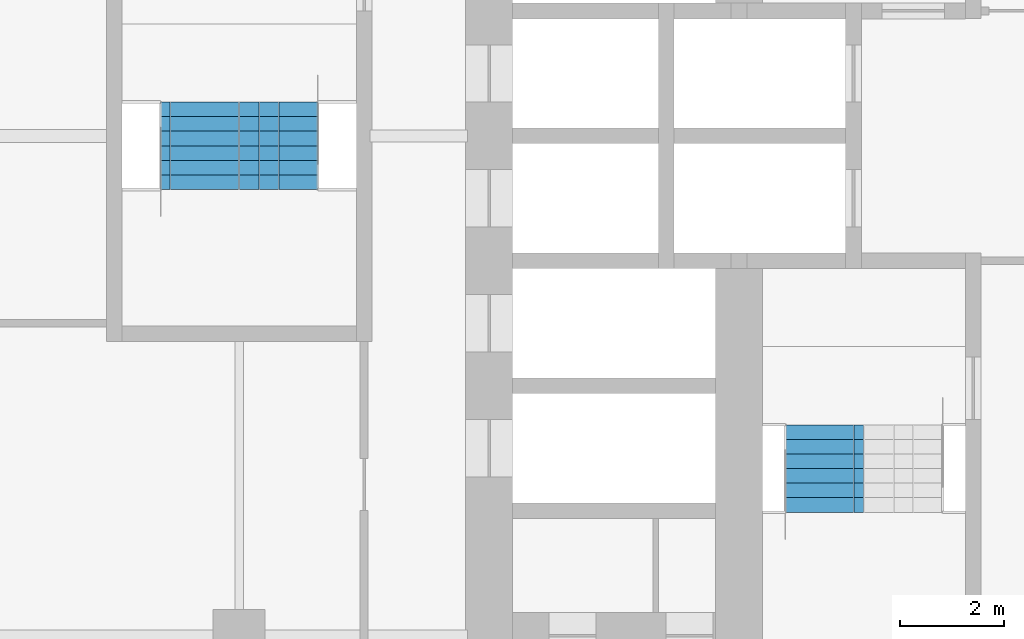
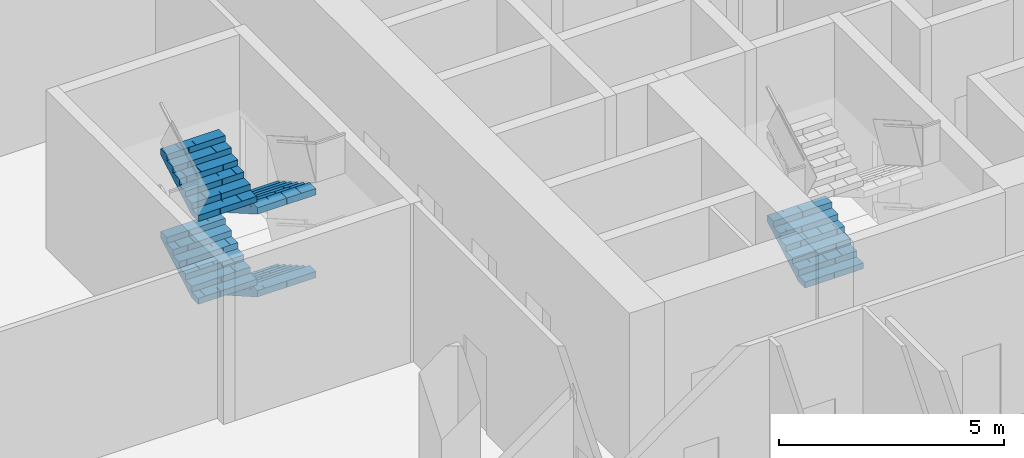
# One storey, part 17 of 22: 5 stair flights, 2 elements without a shape of their own.
"""IFC4 building model written with IfcOpenShell, lengths in metres."""

from ifc_helpers import new_model, si_unit, direction, frame, origin, place, context, subcontext, project, spatial, polyline, outline, extrude, material, type_object, element, aggregate, save


model = new_model("IFC4")

# Units and contexts
model_context = context("Model", 3, precision=1e-05, world=origin(), true_north=direction((0.0, 1.0)))
body_context = subcontext(model_context, "Body", "Model", "MODEL_VIEW")
ifc_project = project(units=[si_unit("LENGTHUNIT", "METRE"), si_unit("AREAUNIT", "SQUARE_METRE"), si_unit("VOLUMEUNIT", "CUBIC_METRE"), si_unit("PLANEANGLEUNIT", "RADIAN"), si_unit("MASSUNIT", "GRAM", prefix="KILO")], contexts=[model_context])

# Site, building, storey
site_placement = place(None, origin())
site = spatial("IfcSite", under=ifc_project, at=site_placement, CompositionType="ELEMENT")
building_placement = place(site_placement, origin())
building = spatial("IfcBuilding", under=site, at=building_placement, Name="Kolab Exchange Tower", CompositionType="ELEMENT")
storey_placement = place(building_placement, frame((0.0, 0.0, 113.89990234375)))
storey = spatial("IfcBuildingStorey", under=building, at=storey_placement, Name="L22", CompositionType="ELEMENT", Elevation=113.89990234375)

# Stair, stair flight
ifc_material = material(Name="Concrete C50/60", Category="concrete")
stair_type_1 = type_object("IfcStairType", Name="STAIR ST3 RISER 160.7", PredefinedType="DOUBLE_RETURN_STAIR", material=ifc_material)
stair_1_placement = place(storey_placement, origin())
stair_1 = element("IfcStair", 1, at=stair_1_placement, inside=storey, type_object=stair_type_1, Name="Stair 3", PredefinedType="DOUBLE_RETURN_STAIR")
stair_flight_type = type_object("IfcStairFlightType", Name="STAIR FLIGHT 1500 RISER 160.7", PredefinedType="STRAIGHT", material=ifc_material)
stair_flight_1_placement = place(storey_placement, frame((-7.9599609375, -7.22998046875, 1.125), z_axis=(0.0, 0.0, 1.0), x_axis=(0.0, 1.0, 0.0)))
stair_flight_1 = element("IfcStairFlight", 2, at=stair_flight_1_placement, type_object=stair_flight_type, Name="ST3 flight 2", NumberOfRisers=7, NumberOfTreads=6, PredefinedType="STRAIGHT", RiserHeight=0.160714286, TreadLength=0.28, context=body_context, shape_type="SweptSolid", body=[
    extrude(outline(polyline([(0.0, 0.0), (0.0, 0.16064453125), (0.280029296875, 0.16064453125), (0.280029296875, 0.321533203125), (0.56005859375, 0.321533203125), (0.56005859375, 0.482177734375), (0.840087890625, 0.482177734375), (0.840087890625, 0.642822265625), (1.1201171875, 0.642822265625), (1.1201171875, 0.803466796875), (1.39990234375, 0.803466796875), (1.39990234375, 0.96435546875), (1.679931640625, 0.96435546875), (1.679931640625, 1.125), (1.679931640625, 0.79150390625), (0.301025390625, 0.0), (0.0, 0.0)])), frame((0.0, 0.75, 0.0), z_axis=(0.0, -1.0, 0.0), x_axis=(1.0, 0.0, 0.0)), (0.0, 0.0, 1.0), 0.185791015625),
    extrude(outline(polyline([(0.0, 0.0), (0.0, 0.16064453125), (0.280029296875, 0.16064453125), (0.280029296875, 0.321533203125), (0.56005859375, 0.321533203125), (0.56005859375, 0.482177734375), (0.840087890625, 0.482177734375), (0.840087890625, 0.642822265625), (1.1201171875, 0.642822265625), (1.1201171875, 0.803466796875), (1.39990234375, 0.803466796875), (1.39990234375, 0.96435546875), (1.679931640625, 0.96435546875), (1.679931640625, 1.125), (1.679931640625, 0.79150390625), (0.301025390625, 0.0), (0.0, 0.0)])), frame((0.0, 0.562255859375, 0.0), z_axis=(0.0, -1.0, 0.0), x_axis=(1.0, 0.0, 0.0)), (0.0, 0.0, 1.0), 0.185791015625),
    extrude(outline(polyline([(0.0, 0.0), (0.0, 0.16064453125), (0.280029296875, 0.16064453125), (0.280029296875, 0.321533203125), (0.56005859375, 0.321533203125), (0.56005859375, 0.482177734375), (0.840087890625, 0.482177734375), (0.840087890625, 0.642822265625), (1.1201171875, 0.642822265625), (1.1201171875, 0.803466796875), (1.39990234375, 0.803466796875), (1.39990234375, 0.96435546875), (1.679931640625, 0.96435546875), (1.679931640625, 1.125), (1.679931640625, 0.79150390625), (0.301025390625, 0.0), (0.0, 0.0)])), frame((0.0, 0.37451171875, 0.0), z_axis=(0.0, -1.0, 0.0), x_axis=(1.0, 0.0, 0.0)), (0.0, 0.0, 1.0), 0.185791015625),
    extrude(outline(polyline([(0.0, 0.0), (0.0, 0.16064453125), (0.280029296875, 0.16064453125), (0.280029296875, 0.321533203125), (0.56005859375, 0.321533203125), (0.56005859375, 0.482177734375), (0.840087890625, 0.482177734375), (0.840087890625, 0.642822265625), (1.1201171875, 0.642822265625), (1.1201171875, 0.803466796875), (1.39990234375, 0.803466796875), (1.39990234375, 0.96435546875), (1.679931640625, 0.96435546875), (1.679931640625, 1.125), (1.679931640625, 0.79150390625), (0.301025390625, 0.0), (0.0, 0.0)])), frame((0.0, 0.186767578125, 0.0), z_axis=(0.0, -1.0, 0.0), x_axis=(1.0, 0.0, 0.0)), (0.0, 0.0, 1.0), 0.185791015625),
    extrude(outline(polyline([(0.0, 0.0), (0.0, 0.16064453125), (0.280029296875, 0.16064453125), (0.280029296875, 0.321533203125), (0.56005859375, 0.321533203125), (0.56005859375, 0.482177734375), (0.840087890625, 0.482177734375), (0.840087890625, 0.642822265625), (1.1201171875, 0.642822265625), (1.1201171875, 0.803466796875), (1.39990234375, 0.803466796875), (1.39990234375, 0.96435546875), (1.679931640625, 0.96435546875), (1.679931640625, 1.125), (1.679931640625, 0.79150390625), (0.301025390625, 0.0), (0.0, 0.0)])), frame((0.0, -0.0009765625, 0.0), z_axis=(0.0, -1.0, 0.0), x_axis=(1.0, 0.0, 0.0)), (0.0, 0.0, 1.0), 0.185791015625),
    extrude(outline(polyline([(0.0, 0.0), (0.0, 0.16064453125), (0.280029296875, 0.16064453125), (0.280029296875, 0.321533203125), (0.56005859375, 0.321533203125), (0.56005859375, 0.482177734375), (0.840087890625, 0.482177734375), (0.840087890625, 0.642822265625), (1.1201171875, 0.642822265625), (1.1201171875, 0.803466796875), (1.39990234375, 0.803466796875), (1.39990234375, 0.96435546875), (1.679931640625, 0.96435546875), (1.679931640625, 1.125), (1.679931640625, 0.79150390625), (0.301025390625, 0.0), (0.0, 0.0)])), frame((0.0, -0.188720703125, 0.0), z_axis=(0.0, -1.0, 0.0), x_axis=(1.0, 0.0, 0.0)), (0.0, 0.0, 1.0), 0.185791015625),
    extrude(outline(polyline([(0.0, 0.0), (0.0, 0.16064453125), (0.280029296875, 0.16064453125), (0.280029296875, 0.321533203125), (0.56005859375, 0.321533203125), (0.56005859375, 0.482177734375), (0.840087890625, 0.482177734375), (0.840087890625, 0.642822265625), (1.1201171875, 0.642822265625), (1.1201171875, 0.803466796875), (1.39990234375, 0.803466796875), (1.39990234375, 0.96435546875), (1.679931640625, 0.96435546875), (1.679931640625, 1.125), (1.679931640625, 0.79150390625), (0.301025390625, 0.0), (0.0, 0.0)])), frame((0.0, -0.37646484375, 0.0), z_axis=(0.0, -1.0, 0.0), x_axis=(1.0, 0.0, 0.0)), (0.0, 0.0, 1.0), 0.185791015625),
    extrude(outline(polyline([(0.0, 0.0), (0.0, 0.16064453125), (0.280029296875, 0.16064453125), (0.280029296875, 0.321533203125), (0.56005859375, 0.321533203125), (0.56005859375, 0.482177734375), (0.840087890625, 0.482177734375), (0.840087890625, 0.642822265625), (1.1201171875, 0.642822265625), (1.1201171875, 0.803466796875), (1.39990234375, 0.803466796875), (1.39990234375, 0.96435546875), (1.679931640625, 0.96435546875), (1.679931640625, 1.125), (1.679931640625, 0.79150390625), (0.301025390625, 0.0), (0.0, 0.0)])), frame((0.0, -0.564208984375, 0.0), z_axis=(0.0, -1.0, 0.0), x_axis=(1.0, 0.0, 0.0)), (0.0, 0.0, 1.0), 0.185791015625),
])
aggregate(stair_1, [stair_flight_1])

# Stair, stair flights
stair_type_2 = type_object("IfcStairType", Name="STAIR ST5 RISER 160.7", PredefinedType="DOUBLE_RETURN_STAIR", material=ifc_material)
stair_2_placement = place(storey_placement, origin())
stair_2 = element("IfcStair", 3, at=stair_2_placement, inside=storey, type_object=stair_type_2, Name="Stair 5", PredefinedType="DOUBLE_RETURN_STAIR")
stair_flight_2_placement = place(storey_placement, frame((-18.43994140625, 0.64990234375, 0.0), z_axis=(0.0, 0.0, 1.0), x_axis=(0.0, -1.0, 0.0)))
stair_flight_2 = element("IfcStairFlight", 4, at=stair_flight_2_placement, type_object=stair_flight_type, Name="ST5 flight 1", NumberOfRisers=7, NumberOfTreads=6, PredefinedType="STRAIGHT", RiserHeight=0.160714286, TreadLength=0.28, context=body_context, shape_type="SweptSolid", body=[
    extrude(outline(polyline([(0.0, 0.0), (0.0, 0.16064453125), (0.280029296875, 0.16064453125), (0.280029296875, 0.321533203125), (0.56005859375, 0.321533203125), (0.56005859375, 0.482177734375), (0.840087890625, 0.482177734375), (0.840087890625, 0.642822265625), (1.1201171875, 0.642822265625), (1.1201171875, 0.803466796875), (1.39990234375, 0.803466796875), (1.39990234375, 0.96435546875), (1.679931640625, 0.96435546875), (1.679931640625, 1.125), (1.679931640625, 0.79150390625), (0.301025390625, 0.0), (0.0, 0.0)])), frame((0.0, 0.75, 0.0), z_axis=(0.0, -1.0, 0.0), x_axis=(1.0, 0.0, 0.0)), (0.0, 0.0, 1.0), 0.185791015625),
    extrude(outline(polyline([(0.0, 0.0), (0.0, 0.16064453125), (0.280029296875, 0.16064453125), (0.280029296875, 0.321533203125), (0.56005859375, 0.321533203125), (0.56005859375, 0.482177734375), (0.840087890625, 0.482177734375), (0.840087890625, 0.642822265625), (1.1201171875, 0.642822265625), (1.1201171875, 0.803466796875), (1.39990234375, 0.803466796875), (1.39990234375, 0.96435546875), (1.679931640625, 0.96435546875), (1.679931640625, 1.125), (1.679931640625, 0.79150390625), (0.301025390625, 0.0), (0.0, 0.0)])), frame((0.0, 0.562255859375, 0.0), z_axis=(0.0, -1.0, 0.0), x_axis=(1.0, 0.0, 0.0)), (0.0, 0.0, 1.0), 0.185791015625),
    extrude(outline(polyline([(0.0, 0.0), (0.0, 0.16064453125), (0.280029296875, 0.16064453125), (0.280029296875, 0.321533203125), (0.56005859375, 0.321533203125), (0.56005859375, 0.482177734375), (0.840087890625, 0.482177734375), (0.840087890625, 0.642822265625), (1.1201171875, 0.642822265625), (1.1201171875, 0.803466796875), (1.39990234375, 0.803466796875), (1.39990234375, 0.96435546875), (1.679931640625, 0.96435546875), (1.679931640625, 1.125), (1.679931640625, 0.79150390625), (0.301025390625, 0.0), (0.0, 0.0)])), frame((0.0, 0.37451171875, 0.0), z_axis=(0.0, -1.0, 0.0), x_axis=(1.0, 0.0, 0.0)), (0.0, 0.0, 1.0), 0.185791015625),
    extrude(outline(polyline([(0.0, 0.0), (0.0, 0.16064453125), (0.280029296875, 0.16064453125), (0.280029296875, 0.321533203125), (0.56005859375, 0.321533203125), (0.56005859375, 0.482177734375), (0.840087890625, 0.482177734375), (0.840087890625, 0.642822265625), (1.1201171875, 0.642822265625), (1.1201171875, 0.803466796875), (1.39990234375, 0.803466796875), (1.39990234375, 0.96435546875), (1.679931640625, 0.96435546875), (1.679931640625, 1.125), (1.679931640625, 0.79150390625), (0.301025390625, 0.0), (0.0, 0.0)])), frame((0.0, 0.186767578125, 0.0), z_axis=(0.0, -1.0, 0.0), x_axis=(1.0, 0.0, 0.0)), (0.0, 0.0, 1.0), 0.185791015625),
    extrude(outline(polyline([(0.0, 0.0), (0.0, 0.16064453125), (0.280029296875, 0.16064453125), (0.280029296875, 0.321533203125), (0.56005859375, 0.321533203125), (0.56005859375, 0.482177734375), (0.840087890625, 0.482177734375), (0.840087890625, 0.642822265625), (1.1201171875, 0.642822265625), (1.1201171875, 0.803466796875), (1.39990234375, 0.803466796875), (1.39990234375, 0.96435546875), (1.679931640625, 0.96435546875), (1.679931640625, 1.125), (1.679931640625, 0.79150390625), (0.301025390625, 0.0), (0.0, 0.0)])), frame((0.0, -0.0009765625, 0.0), z_axis=(0.0, -1.0, 0.0), x_axis=(1.0, 0.0, 0.0)), (0.0, 0.0, 1.0), 0.185791015625),
    extrude(outline(polyline([(0.0, 0.0), (0.0, 0.16064453125), (0.280029296875, 0.16064453125), (0.280029296875, 0.321533203125), (0.56005859375, 0.321533203125), (0.56005859375, 0.482177734375), (0.840087890625, 0.482177734375), (0.840087890625, 0.642822265625), (1.1201171875, 0.642822265625), (1.1201171875, 0.803466796875), (1.39990234375, 0.803466796875), (1.39990234375, 0.96435546875), (1.679931640625, 0.96435546875), (1.679931640625, 1.125), (1.679931640625, 0.79150390625), (0.301025390625, 0.0), (0.0, 0.0)])), frame((0.0, -0.188720703125, 0.0), z_axis=(0.0, -1.0, 0.0), x_axis=(1.0, 0.0, 0.0)), (0.0, 0.0, 1.0), 0.185791015625),
    extrude(outline(polyline([(0.0, 0.0), (0.0, 0.16064453125), (0.280029296875, 0.16064453125), (0.280029296875, 0.321533203125), (0.56005859375, 0.321533203125), (0.56005859375, 0.482177734375), (0.840087890625, 0.482177734375), (0.840087890625, 0.642822265625), (1.1201171875, 0.642822265625), (1.1201171875, 0.803466796875), (1.39990234375, 0.803466796875), (1.39990234375, 0.96435546875), (1.679931640625, 0.96435546875), (1.679931640625, 1.125), (1.679931640625, 0.79150390625), (0.301025390625, 0.0), (0.0, 0.0)])), frame((0.0, -0.37646484375, 0.0), z_axis=(0.0, -1.0, 0.0), x_axis=(1.0, 0.0, 0.0)), (0.0, 0.0, 1.0), 0.185791015625),
    extrude(outline(polyline([(0.0, 0.0), (0.0, 0.16064453125), (0.280029296875, 0.16064453125), (0.280029296875, 0.321533203125), (0.56005859375, 0.321533203125), (0.56005859375, 0.482177734375), (0.840087890625, 0.482177734375), (0.840087890625, 0.642822265625), (1.1201171875, 0.642822265625), (1.1201171875, 0.803466796875), (1.39990234375, 0.803466796875), (1.39990234375, 0.96435546875), (1.679931640625, 0.96435546875), (1.679931640625, 1.125), (1.679931640625, 0.79150390625), (0.301025390625, 0.0), (0.0, 0.0)])), frame((0.0, -0.564208984375, 0.0), z_axis=(0.0, -1.0, 0.0), x_axis=(1.0, 0.0, 0.0)), (0.0, 0.0, 1.0), 0.185791015625),
])
stair_flight_3_placement = place(storey_placement, frame((-19.9599609375, -1.030029296875, 1.125), z_axis=(0.0, 0.0, 1.0), x_axis=(0.0, 1.0, 0.0)))
stair_flight_3 = element("IfcStairFlight", 5, at=stair_flight_3_placement, type_object=stair_flight_type, Name="ST5 flight 2", NumberOfRisers=7, NumberOfTreads=6, PredefinedType="STRAIGHT", RiserHeight=0.160714286, TreadLength=0.28, context=body_context, shape_type="SweptSolid", body=[
    extrude(outline(polyline([(0.0, 0.0), (0.0, 0.16064453125), (0.280029296875, 0.16064453125), (0.280029296875, 0.321533203125), (0.56005859375, 0.321533203125), (0.56005859375, 0.482177734375), (0.840087890625, 0.482177734375), (0.840087890625, 0.642822265625), (1.1201171875, 0.642822265625), (1.1201171875, 0.803466796875), (1.39990234375, 0.803466796875), (1.39990234375, 0.96435546875), (1.679931640625, 0.96435546875), (1.679931640625, 1.125), (1.679931640625, 0.79150390625), (0.301025390625, 0.0), (0.0, 0.0)])), frame((0.0, 0.75, 0.0), z_axis=(0.0, -1.0, 0.0), x_axis=(1.0, 0.0, 0.0)), (0.0, 0.0, 1.0), 0.185791015625),
    extrude(outline(polyline([(0.0, 0.0), (0.0, 0.16064453125), (0.280029296875, 0.16064453125), (0.280029296875, 0.321533203125), (0.56005859375, 0.321533203125), (0.56005859375, 0.482177734375), (0.840087890625, 0.482177734375), (0.840087890625, 0.642822265625), (1.1201171875, 0.642822265625), (1.1201171875, 0.803466796875), (1.39990234375, 0.803466796875), (1.39990234375, 0.96435546875), (1.679931640625, 0.96435546875), (1.679931640625, 1.125), (1.679931640625, 0.79150390625), (0.301025390625, 0.0), (0.0, 0.0)])), frame((0.0, 0.562255859375, 0.0), z_axis=(0.0, -1.0, 0.0), x_axis=(1.0, 0.0, 0.0)), (0.0, 0.0, 1.0), 0.185791015625),
    extrude(outline(polyline([(0.0, 0.0), (0.0, 0.16064453125), (0.280029296875, 0.16064453125), (0.280029296875, 0.321533203125), (0.56005859375, 0.321533203125), (0.56005859375, 0.482177734375), (0.840087890625, 0.482177734375), (0.840087890625, 0.642822265625), (1.1201171875, 0.642822265625), (1.1201171875, 0.803466796875), (1.39990234375, 0.803466796875), (1.39990234375, 0.96435546875), (1.679931640625, 0.96435546875), (1.679931640625, 1.125), (1.679931640625, 0.79150390625), (0.301025390625, 0.0), (0.0, 0.0)])), frame((0.0, 0.37451171875, 0.0), z_axis=(0.0, -1.0, 0.0), x_axis=(1.0, 0.0, 0.0)), (0.0, 0.0, 1.0), 0.185791015625),
    extrude(outline(polyline([(0.0, 0.0), (0.0, 0.16064453125), (0.280029296875, 0.16064453125), (0.280029296875, 0.321533203125), (0.56005859375, 0.321533203125), (0.56005859375, 0.482177734375), (0.840087890625, 0.482177734375), (0.840087890625, 0.642822265625), (1.1201171875, 0.642822265625), (1.1201171875, 0.803466796875), (1.39990234375, 0.803466796875), (1.39990234375, 0.96435546875), (1.679931640625, 0.96435546875), (1.679931640625, 1.125), (1.679931640625, 0.79150390625), (0.301025390625, 0.0), (0.0, 0.0)])), frame((0.0, 0.186767578125, 0.0), z_axis=(0.0, -1.0, 0.0), x_axis=(1.0, 0.0, 0.0)), (0.0, 0.0, 1.0), 0.185791015625),
    extrude(outline(polyline([(0.0, 0.0), (0.0, 0.16064453125), (0.280029296875, 0.16064453125), (0.280029296875, 0.321533203125), (0.56005859375, 0.321533203125), (0.56005859375, 0.482177734375), (0.840087890625, 0.482177734375), (0.840087890625, 0.642822265625), (1.1201171875, 0.642822265625), (1.1201171875, 0.803466796875), (1.39990234375, 0.803466796875), (1.39990234375, 0.96435546875), (1.679931640625, 0.96435546875), (1.679931640625, 1.125), (1.679931640625, 0.79150390625), (0.301025390625, 0.0), (0.0, 0.0)])), frame((0.0, -0.0009765625, 0.0), z_axis=(0.0, -1.0, 0.0), x_axis=(1.0, 0.0, 0.0)), (0.0, 0.0, 1.0), 0.185791015625),
    extrude(outline(polyline([(0.0, 0.0), (0.0, 0.16064453125), (0.280029296875, 0.16064453125), (0.280029296875, 0.321533203125), (0.56005859375, 0.321533203125), (0.56005859375, 0.482177734375), (0.840087890625, 0.482177734375), (0.840087890625, 0.642822265625), (1.1201171875, 0.642822265625), (1.1201171875, 0.803466796875), (1.39990234375, 0.803466796875), (1.39990234375, 0.96435546875), (1.679931640625, 0.96435546875), (1.679931640625, 1.125), (1.679931640625, 0.79150390625), (0.301025390625, 0.0), (0.0, 0.0)])), frame((0.0, -0.188720703125, 0.0), z_axis=(0.0, -1.0, 0.0), x_axis=(1.0, 0.0, 0.0)), (0.0, 0.0, 1.0), 0.185791015625),
    extrude(outline(polyline([(0.0, 0.0), (0.0, 0.16064453125), (0.280029296875, 0.16064453125), (0.280029296875, 0.321533203125), (0.56005859375, 0.321533203125), (0.56005859375, 0.482177734375), (0.840087890625, 0.482177734375), (0.840087890625, 0.642822265625), (1.1201171875, 0.642822265625), (1.1201171875, 0.803466796875), (1.39990234375, 0.803466796875), (1.39990234375, 0.96435546875), (1.679931640625, 0.96435546875), (1.679931640625, 1.125), (1.679931640625, 0.79150390625), (0.301025390625, 0.0), (0.0, 0.0)])), frame((0.0, -0.37646484375, 0.0), z_axis=(0.0, -1.0, 0.0), x_axis=(1.0, 0.0, 0.0)), (0.0, 0.0, 1.0), 0.185791015625),
    extrude(outline(polyline([(0.0, 0.0), (0.0, 0.16064453125), (0.280029296875, 0.16064453125), (0.280029296875, 0.321533203125), (0.56005859375, 0.321533203125), (0.56005859375, 0.482177734375), (0.840087890625, 0.482177734375), (0.840087890625, 0.642822265625), (1.1201171875, 0.642822265625), (1.1201171875, 0.803466796875), (1.39990234375, 0.803466796875), (1.39990234375, 0.96435546875), (1.679931640625, 0.96435546875), (1.679931640625, 1.125), (1.679931640625, 0.79150390625), (0.301025390625, 0.0), (0.0, 0.0)])), frame((0.0, -0.564208984375, 0.0), z_axis=(0.0, -1.0, 0.0), x_axis=(1.0, 0.0, 0.0)), (0.0, 0.0, 1.0), 0.185791015625),
])
stair_flight_4_placement = place(storey_placement, frame((-18.43994140625, 0.64990234375, 2.25), z_axis=(0.0, 0.0, 1.0), x_axis=(0.0, -1.0, 0.0)))
stair_flight_4 = element("IfcStairFlight", 6, at=stair_flight_4_placement, type_object=stair_flight_type, Name="ST5 flight 3", NumberOfRisers=7, NumberOfTreads=6, PredefinedType="STRAIGHT", RiserHeight=0.160714286, TreadLength=0.28, context=body_context, shape_type="SweptSolid", body=[
    extrude(outline(polyline([(0.0, 0.0), (0.0, 0.16064453125), (0.280029296875, 0.16064453125), (0.280029296875, 0.321533203125), (0.56005859375, 0.321533203125), (0.56005859375, 0.482177734375), (0.840087890625, 0.482177734375), (0.840087890625, 0.642822265625), (1.1201171875, 0.642822265625), (1.1201171875, 0.803466796875), (1.39990234375, 0.803466796875), (1.39990234375, 0.96435546875), (1.679931640625, 0.96435546875), (1.679931640625, 1.125), (1.679931640625, 0.79150390625), (0.301025390625, 0.0), (0.0, 0.0)])), frame((0.0, 0.75, 0.0), z_axis=(0.0, -1.0, 0.0), x_axis=(1.0, 0.0, 0.0)), (0.0, 0.0, 1.0), 0.185791015625),
    extrude(outline(polyline([(0.0, 0.0), (0.0, 0.16064453125), (0.280029296875, 0.16064453125), (0.280029296875, 0.321533203125), (0.56005859375, 0.321533203125), (0.56005859375, 0.482177734375), (0.840087890625, 0.482177734375), (0.840087890625, 0.642822265625), (1.1201171875, 0.642822265625), (1.1201171875, 0.803466796875), (1.39990234375, 0.803466796875), (1.39990234375, 0.96435546875), (1.679931640625, 0.96435546875), (1.679931640625, 1.125), (1.679931640625, 0.79150390625), (0.301025390625, 0.0), (0.0, 0.0)])), frame((0.0, 0.562255859375, 0.0), z_axis=(0.0, -1.0, 0.0), x_axis=(1.0, 0.0, 0.0)), (0.0, 0.0, 1.0), 0.185791015625),
    extrude(outline(polyline([(0.0, 0.0), (0.0, 0.16064453125), (0.280029296875, 0.16064453125), (0.280029296875, 0.321533203125), (0.56005859375, 0.321533203125), (0.56005859375, 0.482177734375), (0.840087890625, 0.482177734375), (0.840087890625, 0.642822265625), (1.1201171875, 0.642822265625), (1.1201171875, 0.803466796875), (1.39990234375, 0.803466796875), (1.39990234375, 0.96435546875), (1.679931640625, 0.96435546875), (1.679931640625, 1.125), (1.679931640625, 0.79150390625), (0.301025390625, 0.0), (0.0, 0.0)])), frame((0.0, 0.37451171875, 0.0), z_axis=(0.0, -1.0, 0.0), x_axis=(1.0, 0.0, 0.0)), (0.0, 0.0, 1.0), 0.185791015625),
    extrude(outline(polyline([(0.0, 0.0), (0.0, 0.16064453125), (0.280029296875, 0.16064453125), (0.280029296875, 0.321533203125), (0.56005859375, 0.321533203125), (0.56005859375, 0.482177734375), (0.840087890625, 0.482177734375), (0.840087890625, 0.642822265625), (1.1201171875, 0.642822265625), (1.1201171875, 0.803466796875), (1.39990234375, 0.803466796875), (1.39990234375, 0.96435546875), (1.679931640625, 0.96435546875), (1.679931640625, 1.125), (1.679931640625, 0.79150390625), (0.301025390625, 0.0), (0.0, 0.0)])), frame((0.0, 0.186767578125, 0.0), z_axis=(0.0, -1.0, 0.0), x_axis=(1.0, 0.0, 0.0)), (0.0, 0.0, 1.0), 0.185791015625),
    extrude(outline(polyline([(0.0, 0.0), (0.0, 0.16064453125), (0.280029296875, 0.16064453125), (0.280029296875, 0.321533203125), (0.56005859375, 0.321533203125), (0.56005859375, 0.482177734375), (0.840087890625, 0.482177734375), (0.840087890625, 0.642822265625), (1.1201171875, 0.642822265625), (1.1201171875, 0.803466796875), (1.39990234375, 0.803466796875), (1.39990234375, 0.96435546875), (1.679931640625, 0.96435546875), (1.679931640625, 1.125), (1.679931640625, 0.79150390625), (0.301025390625, 0.0), (0.0, 0.0)])), frame((0.0, -0.0009765625, 0.0), z_axis=(0.0, -1.0, 0.0), x_axis=(1.0, 0.0, 0.0)), (0.0, 0.0, 1.0), 0.185791015625),
    extrude(outline(polyline([(0.0, 0.0), (0.0, 0.16064453125), (0.280029296875, 0.16064453125), (0.280029296875, 0.321533203125), (0.56005859375, 0.321533203125), (0.56005859375, 0.482177734375), (0.840087890625, 0.482177734375), (0.840087890625, 0.642822265625), (1.1201171875, 0.642822265625), (1.1201171875, 0.803466796875), (1.39990234375, 0.803466796875), (1.39990234375, 0.96435546875), (1.679931640625, 0.96435546875), (1.679931640625, 1.125), (1.679931640625, 0.79150390625), (0.301025390625, 0.0), (0.0, 0.0)])), frame((0.0, -0.188720703125, 0.0), z_axis=(0.0, -1.0, 0.0), x_axis=(1.0, 0.0, 0.0)), (0.0, 0.0, 1.0), 0.185791015625),
    extrude(outline(polyline([(0.0, 0.0), (0.0, 0.16064453125), (0.280029296875, 0.16064453125), (0.280029296875, 0.321533203125), (0.56005859375, 0.321533203125), (0.56005859375, 0.482177734375), (0.840087890625, 0.482177734375), (0.840087890625, 0.642822265625), (1.1201171875, 0.642822265625), (1.1201171875, 0.803466796875), (1.39990234375, 0.803466796875), (1.39990234375, 0.96435546875), (1.679931640625, 0.96435546875), (1.679931640625, 1.125), (1.679931640625, 0.79150390625), (0.301025390625, 0.0), (0.0, 0.0)])), frame((0.0, -0.37646484375, 0.0), z_axis=(0.0, -1.0, 0.0), x_axis=(1.0, 0.0, 0.0)), (0.0, 0.0, 1.0), 0.185791015625),
    extrude(outline(polyline([(0.0, 0.0), (0.0, 0.16064453125), (0.280029296875, 0.16064453125), (0.280029296875, 0.321533203125), (0.56005859375, 0.321533203125), (0.56005859375, 0.482177734375), (0.840087890625, 0.482177734375), (0.840087890625, 0.642822265625), (1.1201171875, 0.642822265625), (1.1201171875, 0.803466796875), (1.39990234375, 0.803466796875), (1.39990234375, 0.96435546875), (1.679931640625, 0.96435546875), (1.679931640625, 1.125), (1.679931640625, 0.79150390625), (0.301025390625, 0.0), (0.0, 0.0)])), frame((0.0, -0.564208984375, 0.0), z_axis=(0.0, -1.0, 0.0), x_axis=(1.0, 0.0, 0.0)), (0.0, 0.0, 1.0), 0.185791015625),
])
stair_flight_5_placement = place(storey_placement, frame((-19.9599609375, -1.030029296875, 3.375), z_axis=(0.0, 0.0, 1.0), x_axis=(0.0, 1.0, 0.0)))
stair_flight_5 = element("IfcStairFlight", 7, at=stair_flight_5_placement, type_object=stair_flight_type, Name="ST5 flight 4", NumberOfRisers=7, NumberOfTreads=6, PredefinedType="STRAIGHT", RiserHeight=0.160714286, TreadLength=0.28, context=body_context, shape_type="SweptSolid", body=[
    extrude(outline(polyline([(0.0, 0.0), (0.0, 0.16064453125), (0.280029296875, 0.16064453125), (0.280029296875, 0.321533203125), (0.56005859375, 0.321533203125), (0.56005859375, 0.482177734375), (0.840087890625, 0.482177734375), (0.840087890625, 0.642822265625), (1.1201171875, 0.642822265625), (1.1201171875, 0.803466796875), (1.39990234375, 0.803466796875), (1.39990234375, 0.96435546875), (1.679931640625, 0.96435546875), (1.679931640625, 1.125), (1.679931640625, 0.79150390625), (0.301025390625, 0.0), (0.0, 0.0)])), frame((0.0, 0.75, 0.0), z_axis=(0.0, -1.0, 0.0), x_axis=(1.0, 0.0, 0.0)), (0.0, 0.0, 1.0), 0.185791015625),
    extrude(outline(polyline([(0.0, 0.0), (0.0, 0.16064453125), (0.280029296875, 0.16064453125), (0.280029296875, 0.321533203125), (0.56005859375, 0.321533203125), (0.56005859375, 0.482177734375), (0.840087890625, 0.482177734375), (0.840087890625, 0.642822265625), (1.1201171875, 0.642822265625), (1.1201171875, 0.803466796875), (1.39990234375, 0.803466796875), (1.39990234375, 0.96435546875), (1.679931640625, 0.96435546875), (1.679931640625, 1.125), (1.679931640625, 0.79150390625), (0.301025390625, 0.0), (0.0, 0.0)])), frame((0.0, 0.562255859375, 0.0), z_axis=(0.0, -1.0, 0.0), x_axis=(1.0, 0.0, 0.0)), (0.0, 0.0, 1.0), 0.185791015625),
    extrude(outline(polyline([(0.0, 0.0), (0.0, 0.16064453125), (0.280029296875, 0.16064453125), (0.280029296875, 0.321533203125), (0.56005859375, 0.321533203125), (0.56005859375, 0.482177734375), (0.840087890625, 0.482177734375), (0.840087890625, 0.642822265625), (1.1201171875, 0.642822265625), (1.1201171875, 0.803466796875), (1.39990234375, 0.803466796875), (1.39990234375, 0.96435546875), (1.679931640625, 0.96435546875), (1.679931640625, 1.125), (1.679931640625, 0.79150390625), (0.301025390625, 0.0), (0.0, 0.0)])), frame((0.0, 0.37451171875, 0.0), z_axis=(0.0, -1.0, 0.0), x_axis=(1.0, 0.0, 0.0)), (0.0, 0.0, 1.0), 0.185791015625),
    extrude(outline(polyline([(0.0, 0.0), (0.0, 0.16064453125), (0.280029296875, 0.16064453125), (0.280029296875, 0.321533203125), (0.56005859375, 0.321533203125), (0.56005859375, 0.482177734375), (0.840087890625, 0.482177734375), (0.840087890625, 0.642822265625), (1.1201171875, 0.642822265625), (1.1201171875, 0.803466796875), (1.39990234375, 0.803466796875), (1.39990234375, 0.96435546875), (1.679931640625, 0.96435546875), (1.679931640625, 1.125), (1.679931640625, 0.79150390625), (0.301025390625, 0.0), (0.0, 0.0)])), frame((0.0, 0.186767578125, 0.0), z_axis=(0.0, -1.0, 0.0), x_axis=(1.0, 0.0, 0.0)), (0.0, 0.0, 1.0), 0.185791015625),
    extrude(outline(polyline([(0.0, 0.0), (0.0, 0.16064453125), (0.280029296875, 0.16064453125), (0.280029296875, 0.321533203125), (0.56005859375, 0.321533203125), (0.56005859375, 0.482177734375), (0.840087890625, 0.482177734375), (0.840087890625, 0.642822265625), (1.1201171875, 0.642822265625), (1.1201171875, 0.803466796875), (1.39990234375, 0.803466796875), (1.39990234375, 0.96435546875), (1.679931640625, 0.96435546875), (1.679931640625, 1.125), (1.679931640625, 0.79150390625), (0.301025390625, 0.0), (0.0, 0.0)])), frame((0.0, -0.0009765625, 0.0), z_axis=(0.0, -1.0, 0.0), x_axis=(1.0, 0.0, 0.0)), (0.0, 0.0, 1.0), 0.185791015625),
    extrude(outline(polyline([(0.0, 0.0), (0.0, 0.16064453125), (0.280029296875, 0.16064453125), (0.280029296875, 0.321533203125), (0.56005859375, 0.321533203125), (0.56005859375, 0.482177734375), (0.840087890625, 0.482177734375), (0.840087890625, 0.642822265625), (1.1201171875, 0.642822265625), (1.1201171875, 0.803466796875), (1.39990234375, 0.803466796875), (1.39990234375, 0.96435546875), (1.679931640625, 0.96435546875), (1.679931640625, 1.125), (1.679931640625, 0.79150390625), (0.301025390625, 0.0), (0.0, 0.0)])), frame((0.0, -0.188720703125, 0.0), z_axis=(0.0, -1.0, 0.0), x_axis=(1.0, 0.0, 0.0)), (0.0, 0.0, 1.0), 0.185791015625),
    extrude(outline(polyline([(0.0, 0.0), (0.0, 0.16064453125), (0.280029296875, 0.16064453125), (0.280029296875, 0.321533203125), (0.56005859375, 0.321533203125), (0.56005859375, 0.482177734375), (0.840087890625, 0.482177734375), (0.840087890625, 0.642822265625), (1.1201171875, 0.642822265625), (1.1201171875, 0.803466796875), (1.39990234375, 0.803466796875), (1.39990234375, 0.96435546875), (1.679931640625, 0.96435546875), (1.679931640625, 1.125), (1.679931640625, 0.79150390625), (0.301025390625, 0.0), (0.0, 0.0)])), frame((0.0, -0.37646484375, 0.0), z_axis=(0.0, -1.0, 0.0), x_axis=(1.0, 0.0, 0.0)), (0.0, 0.0, 1.0), 0.185791015625),
    extrude(outline(polyline([(0.0, 0.0), (0.0, 0.16064453125), (0.280029296875, 0.16064453125), (0.280029296875, 0.321533203125), (0.56005859375, 0.321533203125), (0.56005859375, 0.482177734375), (0.840087890625, 0.482177734375), (0.840087890625, 0.642822265625), (1.1201171875, 0.642822265625), (1.1201171875, 0.803466796875), (1.39990234375, 0.803466796875), (1.39990234375, 0.96435546875), (1.679931640625, 0.96435546875), (1.679931640625, 1.125), (1.679931640625, 0.79150390625), (0.301025390625, 0.0), (0.0, 0.0)])), frame((0.0, -0.564208984375, 0.0), z_axis=(0.0, -1.0, 0.0), x_axis=(1.0, 0.0, 0.0)), (0.0, 0.0, 1.0), 0.185791015625),
])
aggregate(stair_2, [stair_flight_2, stair_flight_3, stair_flight_4, stair_flight_5])

save(model, "model.ifc")
